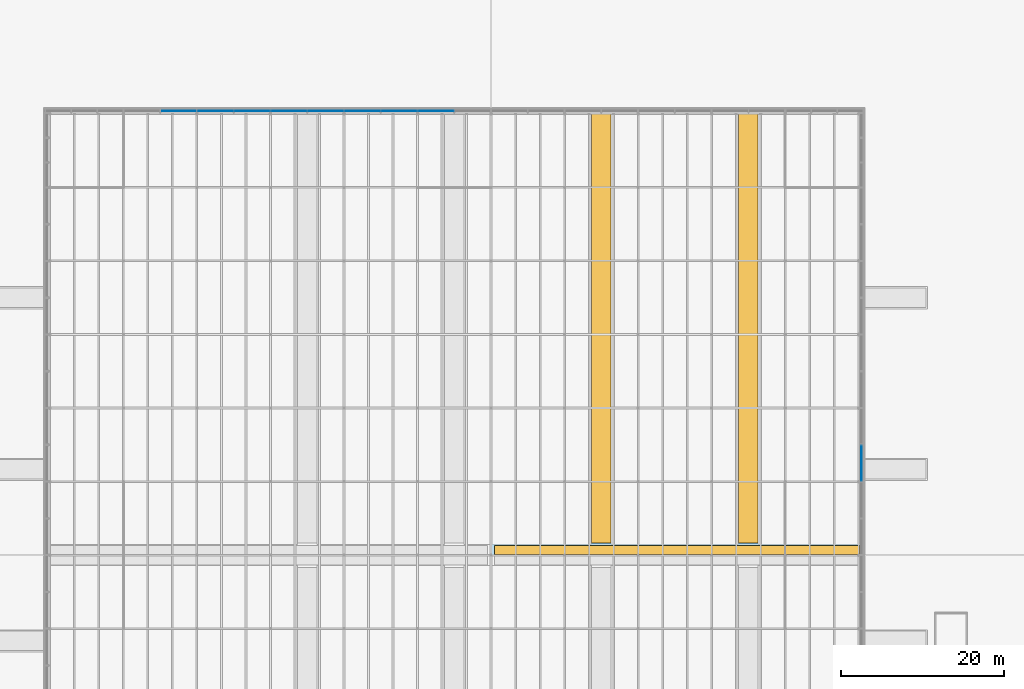
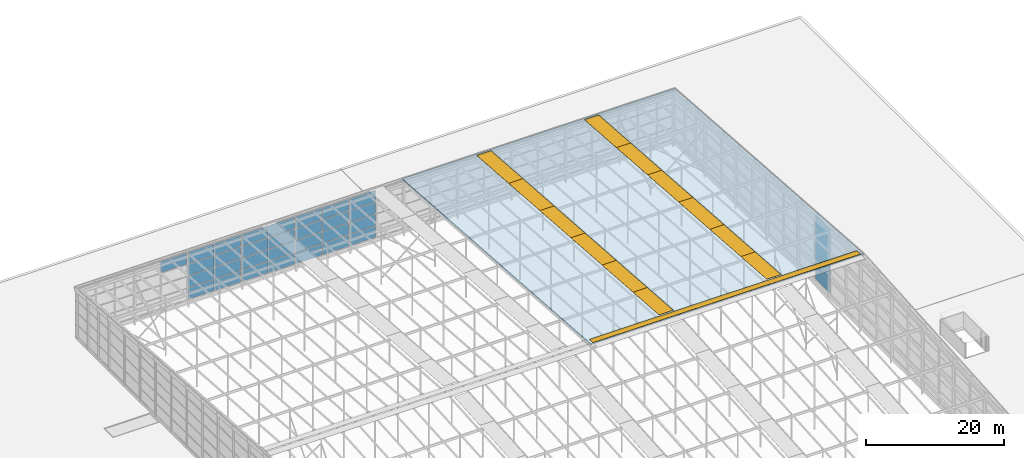
"""IFC4 building model written with IfcOpenShell, lengths in metres."""

from ifc_helpers import new_model, si_unit, direction, frame, origin, origin_2d, place, context, subcontext, project, spatial, polyline, rectangle, outline, extrude, material, layer, layer_set, type_object, element, fill, aggregate, save


model = new_model("IFC4")

# Units and contexts
model_context = context("Model", 3, precision=1e-05, world=origin(), true_north=direction((0.0, 1.0)))
body_context = subcontext(model_context, "Body", "Model", "MODEL_VIEW")
ifc_project = project(units=[si_unit("LENGTHUNIT", "METRE"), si_unit("AREAUNIT", "SQUARE_METRE"), si_unit("VOLUMEUNIT", "CUBIC_METRE"), si_unit("PLANEANGLEUNIT", "RADIAN"), si_unit("MASSUNIT", "GRAM", prefix="KILO")], contexts=[model_context])

# Site, building, storey
site_placement = place(None, origin())
site = spatial("IfcSite", under=ifc_project, at=site_placement, CompositionType="ELEMENT")
building_placement = place(site_placement, origin())
building = spatial("IfcBuilding", under=site, at=building_placement, Name="Silverbay Arena", CompositionType="ELEMENT")
storey_1_placement = place(building_placement, frame((0.0, 0.0, 47.10009765625)))
storey_1 = spatial("IfcBuildingStorey", under=building, at=storey_1_placement, Name="ROOF", CompositionType="ELEMENT", Elevation=47.10009765625)

# Slab, openings
ifc_material_1 = material(Name="Steel S350GD", Category="steel")
ifc_layer_1 = layer(ifc_material_1, 0.25)
ifc_layer_set_1 = layer_set([ifc_layer_1], Name="Steel S350GD")
slab_type = type_object("IfcSlabType", Name="Crown lid deck 250", PredefinedType="ROOF", material=ifc_layer_set_1)
slab_placement = place(storey_1_placement, frame((135.044921875, 81.010009765625, 13.0498046875), z_axis=(0.0, 0.072032280133, 0.99740230129), x_axis=(1.0, 0.0, 0.0)))
slab = element("IfcSlab", 1, at=slab_placement, inside=storey_1, type_object=slab_type, Name="ROOF LID north 10", PredefinedType="ROOF", context=body_context, shape_type="SweptSolid", body=[
    extrude(outline(polyline([(0.0, 0.0), (45.530029296875, 0.0), (45.530029296875, 54.707053849454965), (0.0, 54.707053849454965), (0.0, 0.0)])), origin(), (0.0, 0.0, -1.0), 0.25),
])
placement_1 = place(slab_placement, origin())
opening_1 = element("IfcOpeningElement", 2, at=placement_1, cuts=slab, Name="Opening RL2", PredefinedType="OPENING", context=body_context, shape_type="SweptSolid", body=[
    extrude(outline(polyline([(12.255126953125, 1.493896484375), (14.655029296875, 1.493896484375), (14.655029296875, 9.013427734375), (12.255126953125, 9.013427734375), (12.255126953125, 1.493896484375)])), frame((0.0, 0.0, 0.10009765625)), (0.0, 0.0, -1.0), 0.449951171875),
])
placement_2 = place(slab_placement, origin())
opening_2 = element("IfcOpeningElement", 3, at=placement_2, cuts=slab, Name="Opening RL2", PredefinedType="OPENING", context=body_context, shape_type="SweptSolid", body=[
    extrude(outline(polyline([(12.255126953125, 9.013427734375), (14.655029296875, 9.013427734375), (14.655029296875, 18.036865234375), (12.255126953125, 18.036865234375), (12.255126953125, 9.013427734375)])), frame((0.0, 0.0, 0.10009765625)), (0.0, 0.0, -1.0), 0.449951171875),
])
placement_3 = place(slab_placement, origin())
opening_3 = element("IfcOpeningElement", 4, at=placement_3, cuts=slab, Name="Opening RL2", PredefinedType="OPENING", context=body_context, shape_type="SweptSolid", body=[
    extrude(outline(polyline([(12.255126953125, 18.036865234375), (14.655029296875, 18.036865234375), (14.655029296875, 27.060302734375), (12.255126953125, 27.060302734375), (12.255126953125, 18.036865234375)])), frame((0.0, 0.0, 0.10009765625)), (0.0, 0.0, -1.0), 0.449951171875),
])
placement_4 = place(slab_placement, origin())
opening_4 = element("IfcOpeningElement", 5, at=placement_4, cuts=slab, Name="Opening RL2", PredefinedType="OPENING", context=body_context, shape_type="SweptSolid", body=[
    extrude(outline(polyline([(12.255126953125, 27.060302734375), (14.655029296875, 27.060302734375), (14.655029296875, 36.083740234375), (12.255126953125, 36.083740234375), (12.255126953125, 27.060302734375)])), frame((0.0, 0.0, 0.10009765625)), (0.0, 0.0, -1.0), 0.449951171875),
])
placement_5 = place(slab_placement, origin())
opening_5 = element("IfcOpeningElement", 6, at=placement_5, cuts=slab, Name="Opening RL2", PredefinedType="OPENING", context=body_context, shape_type="SweptSolid", body=[
    extrude(outline(polyline([(12.255126953125, 36.083740234375), (14.655029296875, 36.083740234375), (14.655029296875, 45.107177734375), (12.255126953125, 45.107177734375), (12.255126953125, 36.083740234375)])), frame((0.0, 0.0, 0.10009765625)), (0.0, 0.0, -1.0), 0.449951171875),
])
placement_6 = place(slab_placement, origin())
opening_6 = element("IfcOpeningElement", 7, at=placement_6, cuts=slab, Name="Opening RL2", PredefinedType="OPENING", context=body_context, shape_type="SweptSolid", body=[
    extrude(outline(polyline([(12.255126953125, 45.107177734375), (14.655029296875, 45.107177734375), (14.655029296875, 54.40625), (12.255126953125, 54.40625), (12.255126953125, 45.107177734375)])), frame((0.0, 0.0, 0.10009765625)), (0.0, 0.0, -1.0), 0.449951171875),
])
placement_7 = place(slab_placement, origin())
opening_7 = element("IfcOpeningElement", 8, at=placement_7, cuts=slab, Name="Opening RL2", PredefinedType="OPENING", context=body_context, shape_type="SweptSolid", body=[
    extrude(outline(polyline([(30.255126953125, 1.493896484375), (32.655029296875, 1.493896484375), (32.655029296875, 9.013427734375), (30.255126953125, 9.013427734375), (30.255126953125, 1.493896484375)])), frame((0.0, 0.0, 0.10009765625)), (0.0, 0.0, -1.0), 0.449951171875),
])
placement_8 = place(slab_placement, origin())
opening_8 = element("IfcOpeningElement", 9, at=placement_8, cuts=slab, Name="Opening RL2", PredefinedType="OPENING", context=body_context, shape_type="SweptSolid", body=[
    extrude(outline(polyline([(30.255126953125, 9.013427734375), (32.655029296875, 9.013427734375), (32.655029296875, 18.036865234375), (30.255126953125, 18.036865234375), (30.255126953125, 9.013427734375)])), frame((0.0, 0.0, 0.10009765625)), (0.0, 0.0, -1.0), 0.449951171875),
])
placement_9 = place(slab_placement, origin())
opening_9 = element("IfcOpeningElement", 10, at=placement_9, cuts=slab, Name="Opening RL2", PredefinedType="OPENING", context=body_context, shape_type="SweptSolid", body=[
    extrude(outline(polyline([(30.255126953125, 18.036865234375), (32.655029296875, 18.036865234375), (32.655029296875, 27.060302734375), (30.255126953125, 27.060302734375), (30.255126953125, 18.036865234375)])), frame((0.0, 0.0, 0.10009765625)), (0.0, 0.0, -1.0), 0.449951171875),
])
placement_10 = place(slab_placement, origin())
opening_10 = element("IfcOpeningElement", 11, at=placement_10, cuts=slab, Name="Opening RL2", PredefinedType="OPENING", context=body_context, shape_type="SweptSolid", body=[
    extrude(outline(polyline([(30.255126953125, 27.060302734375), (32.655029296875, 27.060302734375), (32.655029296875, 36.083740234375), (30.255126953125, 36.083740234375), (30.255126953125, 27.060302734375)])), frame((0.0, 0.0, 0.10009765625)), (0.0, 0.0, -1.0), 0.449951171875),
])
placement_11 = place(slab_placement, origin())
opening_11 = element("IfcOpeningElement", 12, at=placement_11, cuts=slab, Name="Opening RL2", PredefinedType="OPENING", context=body_context, shape_type="SweptSolid", body=[
    extrude(outline(polyline([(30.255126953125, 36.083740234375), (32.655029296875, 36.083740234375), (32.655029296875, 45.107177734375), (30.255126953125, 45.107177734375), (30.255126953125, 36.083740234375)])), frame((0.0, 0.0, 0.10009765625)), (0.0, 0.0, -1.0), 0.449951171875),
])
placement_12 = place(slab_placement, origin())
opening_12 = element("IfcOpeningElement", 13, at=placement_12, cuts=slab, Name="Opening RL2", PredefinedType="OPENING", context=body_context, shape_type="SweptSolid", body=[
    extrude(outline(polyline([(30.255126953125, 45.107177734375), (32.655029296875, 45.107177734375), (32.655029296875, 54.40625), (30.255126953125, 54.40625), (30.255126953125, 45.107177734375)])), frame((0.0, 0.0, 0.10009765625)), (0.0, 0.0, -1.0), 0.449951171875),
])
placement_13 = place(slab_placement, origin())
opening_13 = element("IfcOpeningElement", 14, at=placement_13, cuts=slab, Name="Opening RL2", PredefinedType="OPENING", context=body_context, shape_type="SweptSolid", body=[
    extrude(outline(polyline([(0.400146484375, 0.09033203125), (45.130126953125, 0.09033203125), (45.130126953125, 1.193115234375), (0.400146484375, 1.193115234375), (0.400146484375, 0.09033203125)])), frame((0.0, 0.0, 0.10009765625)), (0.0, 0.0, -1.0), 0.449951171875),
])

# Storey
storey_2_placement = place(building_placement, frame((0.0, 0.0, 33.5)))
storey_2 = spatial("IfcBuildingStorey", under=building, at=storey_2_placement, Name="L05", CompositionType="ELEMENT", Elevation=33.5)

# Window
ifc_material_2 = material(Name="Aluminium framed glazing", Category="aluminium")
window_type = type_object("IfcWindowType", Name="Crown rooflight 2400", PartitioningType="SINGLE_PANEL", PredefinedType="SKYLIGHT", material=ifc_material_2)
window_1 = element("IfcWindow", 15, at=placement_1, inside=storey_2, type_object=window_type, Name="Crown rooflight north 39", OverallHeight=1.0, OverallWidth=1.0, PartitioningType="SINGLE_PANEL", PredefinedType="SKYLIGHT", context=body_context, shape_type="SweptSolid", body=[
    extrude(outline(polyline([(12.255126953125, 1.493896484375), (14.655029296875, 1.493896484375), (14.655029296875, 9.013427734375), (12.255126953125, 9.013427734375), (12.255126953125, 1.493896484375)])), origin(), (0.0, 0.0, -1.0), 0.050048828125),
])

fill(opening_1, window_1)

window_2 = element("IfcWindow", 16, at=placement_2, inside=storey_2, type_object=window_type, Name="Crown rooflight north 40", OverallHeight=1.0, OverallWidth=1.0, PartitioningType="SINGLE_PANEL", PredefinedType="SKYLIGHT", context=body_context, shape_type="SweptSolid", body=[
    extrude(outline(polyline([(12.255126953125, 9.013427734375), (14.655029296875, 9.013427734375), (14.655029296875, 18.036865234375), (12.255126953125, 18.036865234375), (12.255126953125, 9.013427734375)])), origin(), (0.0, 0.0, -1.0), 0.050048828125),
])

fill(opening_2, window_2)

window_3 = element("IfcWindow", 17, at=placement_3, inside=storey_2, type_object=window_type, Name="Crown rooflight north 41", OverallHeight=1.0, OverallWidth=1.0, PartitioningType="SINGLE_PANEL", PredefinedType="SKYLIGHT", context=body_context, shape_type="SweptSolid", body=[
    extrude(outline(polyline([(12.255126953125, 18.036865234375), (14.655029296875, 18.036865234375), (14.655029296875, 27.060302734375), (12.255126953125, 27.060302734375), (12.255126953125, 18.036865234375)])), origin(), (0.0, 0.0, -1.0), 0.050048828125),
])

fill(opening_3, window_3)

window_4 = element("IfcWindow", 18, at=placement_4, inside=storey_2, type_object=window_type, Name="Crown rooflight north 42", OverallHeight=1.0, OverallWidth=1.0, PartitioningType="SINGLE_PANEL", PredefinedType="SKYLIGHT", context=body_context, shape_type="SweptSolid", body=[
    extrude(outline(polyline([(12.255126953125, 27.060302734375), (14.655029296875, 27.060302734375), (14.655029296875, 36.083740234375), (12.255126953125, 36.083740234375), (12.255126953125, 27.060302734375)])), origin(), (0.0, 0.0, -1.0), 0.050048828125),
])

fill(opening_4, window_4)

window_5 = element("IfcWindow", 19, at=placement_5, inside=storey_2, type_object=window_type, Name="Crown rooflight north 43", OverallHeight=1.0, OverallWidth=1.0, PartitioningType="SINGLE_PANEL", PredefinedType="SKYLIGHT", context=body_context, shape_type="SweptSolid", body=[
    extrude(outline(polyline([(12.255126953125, 36.083740234375), (14.655029296875, 36.083740234375), (14.655029296875, 45.107177734375), (12.255126953125, 45.107177734375), (12.255126953125, 36.083740234375)])), origin(), (0.0, 0.0, -1.0), 0.050048828125),
])

fill(opening_5, window_5)

window_6 = element("IfcWindow", 20, at=placement_6, inside=storey_2, type_object=window_type, Name="Crown rooflight north 44", OverallHeight=1.0, OverallWidth=1.0, PartitioningType="SINGLE_PANEL", PredefinedType="SKYLIGHT", context=body_context, shape_type="SweptSolid", body=[
    extrude(outline(polyline([(12.255126953125, 45.107177734375), (14.655029296875, 45.107177734375), (14.655029296875, 54.40625), (12.255126953125, 54.40625), (12.255126953125, 45.107177734375)])), origin(), (0.0, 0.0, -1.0), 0.050048828125),
])

fill(opening_6, window_6)

window_7 = element("IfcWindow", 21, at=placement_7, inside=storey_2, type_object=window_type, Name="Crown rooflight north 45", OverallHeight=1.0, OverallWidth=1.0, PartitioningType="SINGLE_PANEL", PredefinedType="SKYLIGHT", context=body_context, shape_type="SweptSolid", body=[
    extrude(outline(polyline([(30.255126953125, 1.493896484375), (32.655029296875, 1.493896484375), (32.655029296875, 9.013427734375), (30.255126953125, 9.013427734375), (30.255126953125, 1.493896484375)])), origin(), (0.0, 0.0, -1.0), 0.050048828125),
])

fill(opening_7, window_7)

window_8 = element("IfcWindow", 22, at=placement_8, inside=storey_2, type_object=window_type, Name="Crown rooflight north 46", OverallHeight=1.0, OverallWidth=1.0, PartitioningType="SINGLE_PANEL", PredefinedType="SKYLIGHT", context=body_context, shape_type="SweptSolid", body=[
    extrude(outline(polyline([(30.255126953125, 9.013427734375), (32.655029296875, 9.013427734375), (32.655029296875, 18.036865234375), (30.255126953125, 18.036865234375), (30.255126953125, 9.013427734375)])), origin(), (0.0, 0.0, -1.0), 0.050048828125),
])

fill(opening_8, window_8)

window_9 = element("IfcWindow", 23, at=placement_9, inside=storey_2, type_object=window_type, Name="Crown rooflight north 47", OverallHeight=1.0, OverallWidth=1.0, PartitioningType="SINGLE_PANEL", PredefinedType="SKYLIGHT", context=body_context, shape_type="SweptSolid", body=[
    extrude(outline(polyline([(30.255126953125, 18.036865234375), (32.655029296875, 18.036865234375), (32.655029296875, 27.060302734375), (30.255126953125, 27.060302734375), (30.255126953125, 18.036865234375)])), origin(), (0.0, 0.0, -1.0), 0.050048828125),
])

fill(opening_9, window_9)

window_10 = element("IfcWindow", 24, at=placement_10, inside=storey_2, type_object=window_type, Name="Crown rooflight north 48", OverallHeight=1.0, OverallWidth=1.0, PartitioningType="SINGLE_PANEL", PredefinedType="SKYLIGHT", context=body_context, shape_type="SweptSolid", body=[
    extrude(outline(polyline([(30.255126953125, 27.060302734375), (32.655029296875, 27.060302734375), (32.655029296875, 36.083740234375), (30.255126953125, 36.083740234375), (30.255126953125, 27.060302734375)])), origin(), (0.0, 0.0, -1.0), 0.050048828125),
])

fill(opening_10, window_10)

window_11 = element("IfcWindow", 25, at=placement_11, inside=storey_2, type_object=window_type, Name="Crown rooflight north 49", OverallHeight=1.0, OverallWidth=1.0, PartitioningType="SINGLE_PANEL", PredefinedType="SKYLIGHT", context=body_context, shape_type="SweptSolid", body=[
    extrude(outline(polyline([(30.255126953125, 36.083740234375), (32.655029296875, 36.083740234375), (32.655029296875, 45.107177734375), (30.255126953125, 45.107177734375), (30.255126953125, 36.083740234375)])), origin(), (0.0, 0.0, -1.0), 0.050048828125),
])

fill(opening_11, window_11)

window_12 = element("IfcWindow", 26, at=placement_12, inside=storey_2, type_object=window_type, Name="Crown rooflight north 50", OverallHeight=1.0, OverallWidth=1.0, PartitioningType="SINGLE_PANEL", PredefinedType="SKYLIGHT", context=body_context, shape_type="SweptSolid", body=[
    extrude(outline(polyline([(30.255126953125, 45.107177734375), (32.655029296875, 45.107177734375), (32.655029296875, 54.40625), (30.255126953125, 54.40625), (30.255126953125, 45.107177734375)])), origin(), (0.0, 0.0, -1.0), 0.050048828125),
])

fill(opening_12, window_12)

window_13 = element("IfcWindow", 27, at=placement_13, inside=storey_2, type_object=window_type, Name="Crown ridge rooflight north 52", OverallHeight=1.0, OverallWidth=1.0, PartitioningType="SINGLE_PANEL", PredefinedType="SKYLIGHT", context=body_context, shape_type="SweptSolid", body=[
    extrude(outline(polyline([(0.400146484375, 0.09033203125), (45.130126953125, 0.09033203125), (45.130126953125, 1.193115234375), (0.400146484375, 1.193115234375), (0.400146484375, 0.09033203125)])), origin(), (0.0, 0.0, -1.0), 0.050048828125),
])

fill(opening_13, window_13)

# Curtain wall, plate
ifc_material_3 = material(Name="Aluminium framed glazing", Category="aluminium")
curtain_wall_type_1 = type_object("IfcCurtainWallType", Name="Curtain wall crown 9000 x 8425", PredefinedType="NOTDEFINED", material=ifc_material_3)
curtain_wall_1_placement = place(storey_1_placement, origin())
curtain_wall_1 = element("IfcCurtainWall", 28, at=curtain_wall_1_placement, inside=storey_1, type_object=curtain_wall_type_1, Name="ROOF CROWN CURTAIN WALL north bay 02", PredefinedType="NOTDEFINED")
ifc_material_4 = material(Name="Laminated glass", Category="glass")
ifc_layer_2 = layer(ifc_material_4, 0.031982421875)
ifc_layer_set_2 = layer_set([ifc_layer_2], Name="Laminated glass")
plate_type = type_object("IfcPlateType", Name="Glass panel 32", PredefinedType="CURTAIN_PANEL", material=ifc_layer_set_2)
plate_1_placement = place(storey_2_placement, frame((96.72509765625, 135.35009765625, 20.398681640625), z_axis=(0.0, 0.0, 1.0), x_axis=(1.0, 0.0, 0.0)))
plate_1 = element("IfcPlate", 29, at=plate_1_placement, type_object=plate_type, Name="CW62 panel 2.4", PredefinedType="CURTAIN_PANEL", context=body_context, shape_type="SweptSolid", body=[
    extrude(rectangle(XDim=4.35009765625, YDim=0.031982421875, at=origin_2d()), origin(), (0.0, 0.0, 1.0), 2.01611328125),
])
aggregate(curtain_wall_1, [plate_1])

# Curtain wall, plates
curtain_wall_2_placement = place(storey_1_placement, origin())
curtain_wall_2 = element("IfcCurtainWall", 30, at=curtain_wall_2_placement, inside=storey_1, type_object=curtain_wall_type_1, Name="ROOF CROWN CURTAIN WALL north bay 03", PredefinedType="NOTDEFINED")
plate_2_placement = place(storey_2_placement, frame((101.27490234375, 135.35009765625, 14.110107421875), z_axis=(0.0, 0.0, 1.0), x_axis=(1.0, 0.0, 0.0)))
plate_2 = element("IfcPlate", 31, at=plate_2_placement, type_object=plate_type, Name="CW62 panel 1.1", PredefinedType="CURTAIN_PANEL", context=body_context, shape_type="SweptSolid", body=[
    extrude(rectangle(XDim=4.35009765625, YDim=0.031982421875, at=origin_2d()), origin(), (0.0, 0.0, 1.0), 2.01611328125),
])
plate_3_placement = place(storey_2_placement, frame((101.27490234375, 135.35009765625, 16.18603515625), z_axis=(0.0, 0.0, 1.0), x_axis=(1.0, 0.0, 0.0)))
plate_3 = element("IfcPlate", 32, at=plate_3_placement, type_object=plate_type, Name="CW62 panel 1.2", PredefinedType="CURTAIN_PANEL", context=body_context, shape_type="SweptSolid", body=[
    extrude(rectangle(XDim=4.35009765625, YDim=0.031982421875, at=origin_2d()), origin(), (0.0, 0.0, 1.0), 2.046142578125),
])
plate_4_placement = place(storey_2_placement, frame((101.27490234375, 135.35009765625, 18.29248046875), z_axis=(0.0, 0.0, 1.0), x_axis=(1.0, 0.0, 0.0)))
plate_4 = element("IfcPlate", 33, at=plate_4_placement, type_object=plate_type, Name="CW62 panel 1.3", PredefinedType="CURTAIN_PANEL", context=body_context, shape_type="SweptSolid", body=[
    extrude(rectangle(XDim=4.35009765625, YDim=0.031982421875, at=origin_2d()), origin(), (0.0, 0.0, 1.0), 2.046142578125),
])
plate_5_placement = place(storey_2_placement, frame((101.27490234375, 135.35009765625, 20.398681640625), z_axis=(0.0, 0.0, 1.0), x_axis=(1.0, 0.0, 0.0)))
plate_5 = element("IfcPlate", 34, at=plate_5_placement, type_object=plate_type, Name="CW62 panel 1.4", PredefinedType="CURTAIN_PANEL", context=body_context, shape_type="SweptSolid", body=[
    extrude(rectangle(XDim=4.35009765625, YDim=0.031982421875, at=origin_2d()), origin(), (0.0, 0.0, 1.0), 2.01611328125),
])
plate_6_placement = place(storey_2_placement, frame((105.72509765625, 135.35009765625, 14.110107421875), z_axis=(0.0, 0.0, 1.0), x_axis=(1.0, 0.0, 0.0)))
plate_6 = element("IfcPlate", 35, at=plate_6_placement, type_object=plate_type, Name="CW62 panel 2.1", PredefinedType="CURTAIN_PANEL", context=body_context, shape_type="SweptSolid", body=[
    extrude(rectangle(XDim=4.35009765625, YDim=0.031982421875, at=origin_2d()), origin(), (0.0, 0.0, 1.0), 2.01611328125),
])
plate_7_placement = place(storey_2_placement, frame((105.72509765625, 135.35009765625, 16.18603515625), z_axis=(0.0, 0.0, 1.0), x_axis=(1.0, 0.0, 0.0)))
plate_7 = element("IfcPlate", 36, at=plate_7_placement, type_object=plate_type, Name="CW62 panel 2.2", PredefinedType="CURTAIN_PANEL", context=body_context, shape_type="SweptSolid", body=[
    extrude(rectangle(XDim=4.35009765625, YDim=0.031982421875, at=origin_2d()), origin(), (0.0, 0.0, 1.0), 2.046142578125),
])
plate_8_placement = place(storey_2_placement, frame((105.72509765625, 135.35009765625, 18.29248046875), z_axis=(0.0, 0.0, 1.0), x_axis=(1.0, 0.0, 0.0)))
plate_8 = element("IfcPlate", 37, at=plate_8_placement, type_object=plate_type, Name="CW62 panel 2.3", PredefinedType="CURTAIN_PANEL", context=body_context, shape_type="SweptSolid", body=[
    extrude(rectangle(XDim=4.35009765625, YDim=0.031982421875, at=origin_2d()), origin(), (0.0, 0.0, 1.0), 2.046142578125),
])
plate_9_placement = place(storey_2_placement, frame((105.72509765625, 135.35009765625, 20.398681640625), z_axis=(0.0, 0.0, 1.0), x_axis=(1.0, 0.0, 0.0)))
plate_9 = element("IfcPlate", 38, at=plate_9_placement, type_object=plate_type, Name="CW62 panel 2.4", PredefinedType="CURTAIN_PANEL", context=body_context, shape_type="SweptSolid", body=[
    extrude(rectangle(XDim=4.35009765625, YDim=0.031982421875, at=origin_2d()), origin(), (0.0, 0.0, 1.0), 2.01611328125),
])
aggregate(curtain_wall_2, [plate_2, plate_3, plate_4, plate_5, plate_6, plate_7, plate_8, plate_9])

curtain_wall_3_placement = place(storey_1_placement, origin())
curtain_wall_3 = element("IfcCurtainWall", 39, at=curtain_wall_3_placement, inside=storey_1, type_object=curtain_wall_type_1, Name="ROOF CROWN CURTAIN WALL north bay 04", PredefinedType="NOTDEFINED")
plate_10_placement = place(storey_2_placement, frame((110.27490234375, 135.35009765625, 14.110107421875), z_axis=(0.0, 0.0, 1.0), x_axis=(1.0, 0.0, 0.0)))
plate_10 = element("IfcPlate", 40, at=plate_10_placement, type_object=plate_type, Name="CW62 panel 1.1", PredefinedType="CURTAIN_PANEL", context=body_context, shape_type="SweptSolid", body=[
    extrude(rectangle(XDim=4.35009765625, YDim=0.031982421875, at=origin_2d()), origin(), (0.0, 0.0, 1.0), 2.01611328125),
])
plate_11_placement = place(storey_2_placement, frame((110.27490234375, 135.35009765625, 16.18603515625), z_axis=(0.0, 0.0, 1.0), x_axis=(1.0, 0.0, 0.0)))
plate_11 = element("IfcPlate", 41, at=plate_11_placement, type_object=plate_type, Name="CW62 panel 1.2", PredefinedType="CURTAIN_PANEL", context=body_context, shape_type="SweptSolid", body=[
    extrude(rectangle(XDim=4.35009765625, YDim=0.031982421875, at=origin_2d()), origin(), (0.0, 0.0, 1.0), 2.046142578125),
])
plate_12_placement = place(storey_2_placement, frame((110.27490234375, 135.35009765625, 18.29248046875), z_axis=(0.0, 0.0, 1.0), x_axis=(1.0, 0.0, 0.0)))
plate_12 = element("IfcPlate", 42, at=plate_12_placement, type_object=plate_type, Name="CW62 panel 1.3", PredefinedType="CURTAIN_PANEL", context=body_context, shape_type="SweptSolid", body=[
    extrude(rectangle(XDim=4.35009765625, YDim=0.031982421875, at=origin_2d()), origin(), (0.0, 0.0, 1.0), 2.046142578125),
])
plate_13_placement = place(storey_2_placement, frame((110.27490234375, 135.35009765625, 20.398681640625), z_axis=(0.0, 0.0, 1.0), x_axis=(1.0, 0.0, 0.0)))
plate_13 = element("IfcPlate", 43, at=plate_13_placement, type_object=plate_type, Name="CW62 panel 1.4", PredefinedType="CURTAIN_PANEL", context=body_context, shape_type="SweptSolid", body=[
    extrude(rectangle(XDim=4.35009765625, YDim=0.031982421875, at=origin_2d()), origin(), (0.0, 0.0, 1.0), 2.01611328125),
])
plate_14_placement = place(storey_2_placement, frame((114.72509765625, 135.35009765625, 14.110107421875), z_axis=(0.0, 0.0, 1.0), x_axis=(1.0, 0.0, 0.0)))
plate_14 = element("IfcPlate", 44, at=plate_14_placement, type_object=plate_type, Name="CW62 panel 2.1", PredefinedType="CURTAIN_PANEL", context=body_context, shape_type="SweptSolid", body=[
    extrude(rectangle(XDim=4.35009765625, YDim=0.031982421875, at=origin_2d()), origin(), (0.0, 0.0, 1.0), 2.01611328125),
])
plate_15_placement = place(storey_2_placement, frame((114.72509765625, 135.35009765625, 16.18603515625), z_axis=(0.0, 0.0, 1.0), x_axis=(1.0, 0.0, 0.0)))
plate_15 = element("IfcPlate", 45, at=plate_15_placement, type_object=plate_type, Name="CW62 panel 2.2", PredefinedType="CURTAIN_PANEL", context=body_context, shape_type="SweptSolid", body=[
    extrude(rectangle(XDim=4.35009765625, YDim=0.031982421875, at=origin_2d()), origin(), (0.0, 0.0, 1.0), 2.046142578125),
])
plate_16_placement = place(storey_2_placement, frame((114.72509765625, 135.35009765625, 18.29248046875), z_axis=(0.0, 0.0, 1.0), x_axis=(1.0, 0.0, 0.0)))
plate_16 = element("IfcPlate", 46, at=plate_16_placement, type_object=plate_type, Name="CW62 panel 2.3", PredefinedType="CURTAIN_PANEL", context=body_context, shape_type="SweptSolid", body=[
    extrude(rectangle(XDim=4.35009765625, YDim=0.031982421875, at=origin_2d()), origin(), (0.0, 0.0, 1.0), 2.046142578125),
])
plate_17_placement = place(storey_2_placement, frame((114.72509765625, 135.35009765625, 20.398681640625), z_axis=(0.0, 0.0, 1.0), x_axis=(1.0, 0.0, 0.0)))
plate_17 = element("IfcPlate", 47, at=plate_17_placement, type_object=plate_type, Name="CW62 panel 2.4", PredefinedType="CURTAIN_PANEL", context=body_context, shape_type="SweptSolid", body=[
    extrude(rectangle(XDim=4.35009765625, YDim=0.031982421875, at=origin_2d()), origin(), (0.0, 0.0, 1.0), 2.01611328125),
])
aggregate(curtain_wall_3, [plate_10, plate_11, plate_12, plate_13, plate_14, plate_15, plate_16, plate_17])

curtain_wall_4_placement = place(storey_1_placement, origin())
curtain_wall_4 = element("IfcCurtainWall", 48, at=curtain_wall_4_placement, inside=storey_1, type_object=curtain_wall_type_1, Name="ROOF CROWN CURTAIN WALL north bay 05", PredefinedType="NOTDEFINED")
plate_18_placement = place(storey_2_placement, frame((119.27490234375, 135.35009765625, 14.110107421875), z_axis=(0.0, 0.0, 1.0), x_axis=(1.0, 0.0, 0.0)))
plate_18 = element("IfcPlate", 49, at=plate_18_placement, type_object=plate_type, Name="CW62 panel 1.1", PredefinedType="CURTAIN_PANEL", context=body_context, shape_type="SweptSolid", body=[
    extrude(rectangle(XDim=4.35009765625, YDim=0.031982421875, at=origin_2d()), origin(), (0.0, 0.0, 1.0), 2.01611328125),
])
plate_19_placement = place(storey_2_placement, frame((119.27490234375, 135.35009765625, 16.18603515625), z_axis=(0.0, 0.0, 1.0), x_axis=(1.0, 0.0, 0.0)))
plate_19 = element("IfcPlate", 50, at=plate_19_placement, type_object=plate_type, Name="CW62 panel 1.2", PredefinedType="CURTAIN_PANEL", context=body_context, shape_type="SweptSolid", body=[
    extrude(rectangle(XDim=4.35009765625, YDim=0.031982421875, at=origin_2d()), origin(), (0.0, 0.0, 1.0), 2.046142578125),
])
plate_20_placement = place(storey_2_placement, frame((119.27490234375, 135.35009765625, 18.29248046875), z_axis=(0.0, 0.0, 1.0), x_axis=(1.0, 0.0, 0.0)))
plate_20 = element("IfcPlate", 51, at=plate_20_placement, type_object=plate_type, Name="CW62 panel 1.3", PredefinedType="CURTAIN_PANEL", context=body_context, shape_type="SweptSolid", body=[
    extrude(rectangle(XDim=4.35009765625, YDim=0.031982421875, at=origin_2d()), origin(), (0.0, 0.0, 1.0), 2.046142578125),
])
plate_21_placement = place(storey_2_placement, frame((119.27490234375, 135.35009765625, 20.398681640625), z_axis=(0.0, 0.0, 1.0), x_axis=(1.0, 0.0, 0.0)))
plate_21 = element("IfcPlate", 52, at=plate_21_placement, type_object=plate_type, Name="CW62 panel 1.4", PredefinedType="CURTAIN_PANEL", context=body_context, shape_type="SweptSolid", body=[
    extrude(rectangle(XDim=4.35009765625, YDim=0.031982421875, at=origin_2d()), origin(), (0.0, 0.0, 1.0), 2.01611328125),
])
plate_22_placement = place(storey_2_placement, frame((123.72509765625, 135.35009765625, 14.110107421875), z_axis=(0.0, 0.0, 1.0), x_axis=(1.0, 0.0, 0.0)))
plate_22 = element("IfcPlate", 53, at=plate_22_placement, type_object=plate_type, Name="CW62 panel 2.1", PredefinedType="CURTAIN_PANEL", context=body_context, shape_type="SweptSolid", body=[
    extrude(rectangle(XDim=4.35009765625, YDim=0.031982421875, at=origin_2d()), origin(), (0.0, 0.0, 1.0), 2.01611328125),
])
plate_23_placement = place(storey_2_placement, frame((123.72509765625, 135.35009765625, 16.18603515625), z_axis=(0.0, 0.0, 1.0), x_axis=(1.0, 0.0, 0.0)))
plate_23 = element("IfcPlate", 54, at=plate_23_placement, type_object=plate_type, Name="CW62 panel 2.2", PredefinedType="CURTAIN_PANEL", context=body_context, shape_type="SweptSolid", body=[
    extrude(rectangle(XDim=4.35009765625, YDim=0.031982421875, at=origin_2d()), origin(), (0.0, 0.0, 1.0), 2.046142578125),
])
plate_24_placement = place(storey_2_placement, frame((123.72509765625, 135.35009765625, 18.29248046875), z_axis=(0.0, 0.0, 1.0), x_axis=(1.0, 0.0, 0.0)))
plate_24 = element("IfcPlate", 55, at=plate_24_placement, type_object=plate_type, Name="CW62 panel 2.3", PredefinedType="CURTAIN_PANEL", context=body_context, shape_type="SweptSolid", body=[
    extrude(rectangle(XDim=4.35009765625, YDim=0.031982421875, at=origin_2d()), origin(), (0.0, 0.0, 1.0), 2.046142578125),
])
plate_25_placement = place(storey_2_placement, frame((123.72509765625, 135.35009765625, 20.398681640625), z_axis=(0.0, 0.0, 1.0), x_axis=(1.0, 0.0, 0.0)))
plate_25 = element("IfcPlate", 56, at=plate_25_placement, type_object=plate_type, Name="CW62 panel 2.4", PredefinedType="CURTAIN_PANEL", context=body_context, shape_type="SweptSolid", body=[
    extrude(rectangle(XDim=4.35009765625, YDim=0.031982421875, at=origin_2d()), origin(), (0.0, 0.0, 1.0), 2.01611328125),
])
aggregate(curtain_wall_4, [plate_18, plate_19, plate_20, plate_21, plate_22, plate_23, plate_24, plate_25])

curtain_wall_5_placement = place(storey_1_placement, origin())
curtain_wall_5 = element("IfcCurtainWall", 57, at=curtain_wall_5_placement, inside=storey_1, type_object=curtain_wall_type_1, Name="ROOF CROWN CURTAIN WALL north bay 06", PredefinedType="NOTDEFINED")
plate_26_placement = place(storey_2_placement, frame((128.27490234375, 135.35009765625, 14.110107421875), z_axis=(0.0, 0.0, 1.0), x_axis=(1.0, 0.0, 0.0)))
plate_26 = element("IfcPlate", 58, at=plate_26_placement, type_object=plate_type, Name="CW62 panel 1.1", PredefinedType="CURTAIN_PANEL", context=body_context, shape_type="SweptSolid", body=[
    extrude(rectangle(XDim=4.35009765625, YDim=0.031982421875, at=origin_2d()), origin(), (0.0, 0.0, 1.0), 2.01611328125),
])
plate_27_placement = place(storey_2_placement, frame((128.27490234375, 135.35009765625, 16.18603515625), z_axis=(0.0, 0.0, 1.0), x_axis=(1.0, 0.0, 0.0)))
plate_27 = element("IfcPlate", 59, at=plate_27_placement, type_object=plate_type, Name="CW62 panel 1.2", PredefinedType="CURTAIN_PANEL", context=body_context, shape_type="SweptSolid", body=[
    extrude(rectangle(XDim=4.35009765625, YDim=0.031982421875, at=origin_2d()), origin(), (0.0, 0.0, 1.0), 2.046142578125),
])
plate_28_placement = place(storey_2_placement, frame((128.27490234375, 135.35009765625, 18.29248046875), z_axis=(0.0, 0.0, 1.0), x_axis=(1.0, 0.0, 0.0)))
plate_28 = element("IfcPlate", 60, at=plate_28_placement, type_object=plate_type, Name="CW62 panel 1.3", PredefinedType="CURTAIN_PANEL", context=body_context, shape_type="SweptSolid", body=[
    extrude(rectangle(XDim=4.35009765625, YDim=0.031982421875, at=origin_2d()), origin(), (0.0, 0.0, 1.0), 2.046142578125),
])
plate_29_placement = place(storey_2_placement, frame((128.27490234375, 135.35009765625, 20.398681640625), z_axis=(0.0, 0.0, 1.0), x_axis=(1.0, 0.0, 0.0)))
plate_29 = element("IfcPlate", 61, at=plate_29_placement, type_object=plate_type, Name="CW62 panel 1.4", PredefinedType="CURTAIN_PANEL", context=body_context, shape_type="SweptSolid", body=[
    extrude(rectangle(XDim=4.35009765625, YDim=0.031982421875, at=origin_2d()), origin(), (0.0, 0.0, 1.0), 2.01611328125),
])
aggregate(curtain_wall_5, [plate_26, plate_27, plate_28, plate_29])

ifc_material_5 = material(Name="Aluminium framed glazing", Category="aluminium")
curtain_wall_type_2 = type_object("IfcCurtainWallType", Name="Curtain wall crown 4500 x 11375", PredefinedType="NOTDEFINED", material=ifc_material_5)
curtain_wall_6_placement = place(storey_1_placement, origin())
curtain_wall_6 = element("IfcCurtainWall", 62, at=curtain_wall_6_placement, inside=storey_1, type_object=curtain_wall_type_2, Name="ROOF CROWN CURTAIN WALL east bay 16", PredefinedType="NOTDEFINED")
plate_30_placement = place(storey_2_placement, frame((180.35009765625, 92.25, 14.10986328125), z_axis=(0.0, 0.0, 1.0), x_axis=(0.0, 1.0, 0.0)))
plate_30 = element("IfcPlate", 63, at=plate_30_placement, type_object=plate_type, Name="CW73 panel 1.1", PredefinedType="CURTAIN_PANEL", context=body_context, shape_type="SweptSolid", body=[
    extrude(rectangle(XDim=4.300048828125, YDim=0.031982421875, at=origin_2d()), origin(), (0.0, 0.0, 1.0), 2.18505859375),
])
plate_31_placement = place(storey_2_placement, frame((180.35009765625, 92.25, 16.35498046875), z_axis=(0.0, 0.0, 1.0), x_axis=(0.0, 1.0, 0.0)))
plate_31 = element("IfcPlate", 64, at=plate_31_placement, type_object=plate_type, Name="CW73 panel 1.2", PredefinedType="CURTAIN_PANEL", context=body_context, shape_type="SweptSolid", body=[
    extrude(rectangle(XDim=4.300048828125, YDim=0.031982421875, at=origin_2d()), origin(), (0.0, 0.0, 1.0), 2.215087890625),
])
plate_32_placement = place(storey_2_placement, frame((180.35009765625, 92.25, 18.6298828125), z_axis=(0.0, 0.0, 1.0), x_axis=(0.0, 1.0, 0.0)))
plate_32 = element("IfcPlate", 65, at=plate_32_placement, type_object=plate_type, Name="CW73 panel 1.3", PredefinedType="CURTAIN_PANEL", context=body_context, shape_type="SweptSolid", body=[
    extrude(rectangle(XDim=4.300048828125, YDim=0.031982421875, at=origin_2d()), origin(), (0.0, 0.0, 1.0), 2.215087890625),
])
plate_33_placement = place(storey_2_placement, frame((180.35009765625, 92.25, 20.90478515625), z_axis=(0.0, 0.0, 1.0), x_axis=(0.0, 1.0, 0.0)))
plate_33 = element("IfcPlate", 66, at=plate_33_placement, type_object=plate_type, Name="CW73 panel 1.4", PredefinedType="CURTAIN_PANEL", context=body_context, shape_type="SweptSolid", body=[
    extrude(rectangle(XDim=4.300048828125, YDim=0.031982421875, at=origin_2d()), origin(), (0.0, 0.0, 1.0), 2.215087890625),
])
plate_34_placement = place(storey_2_placement, frame((180.35009765625, 92.25, 23.179931640625), z_axis=(0.0, 0.0, 1.0), x_axis=(0.0, 1.0, 0.0)))
plate_34 = element("IfcPlate", 67, at=plate_34_placement, type_object=plate_type, Name="CW73 panel 1.5", PredefinedType="CURTAIN_PANEL", context=body_context, shape_type="SweptSolid", body=[
    extrude(rectangle(XDim=4.300048828125, YDim=0.031982421875, at=origin_2d()), origin(), (0.0, 0.0, 1.0), 2.18505859375),
])
aggregate(curtain_wall_6, [plate_30, plate_31, plate_32, plate_33, plate_34])

save(model, "model.ifc")
